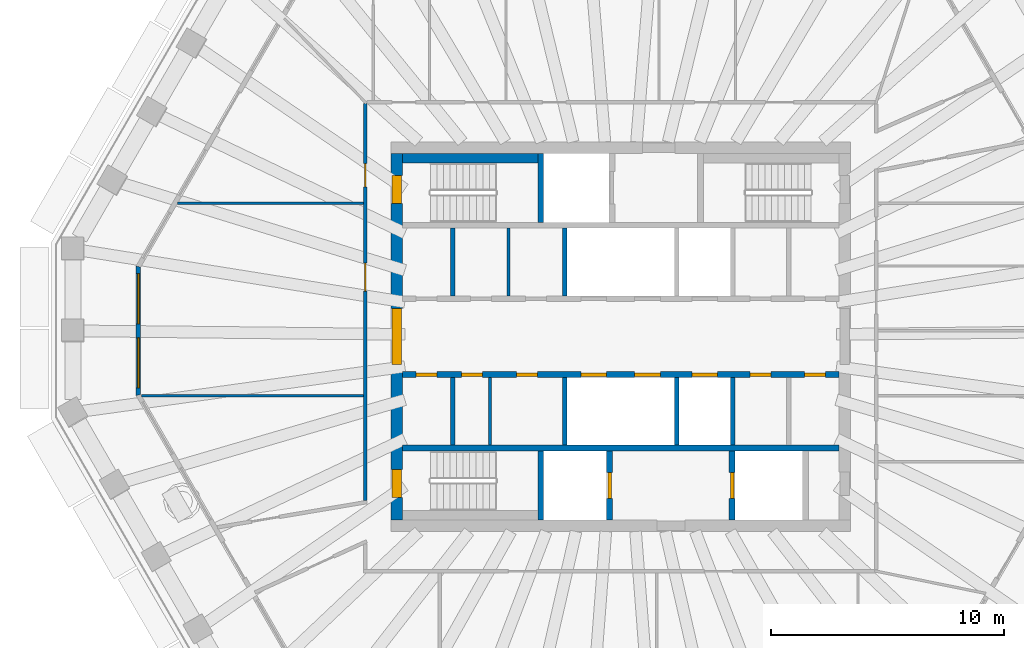
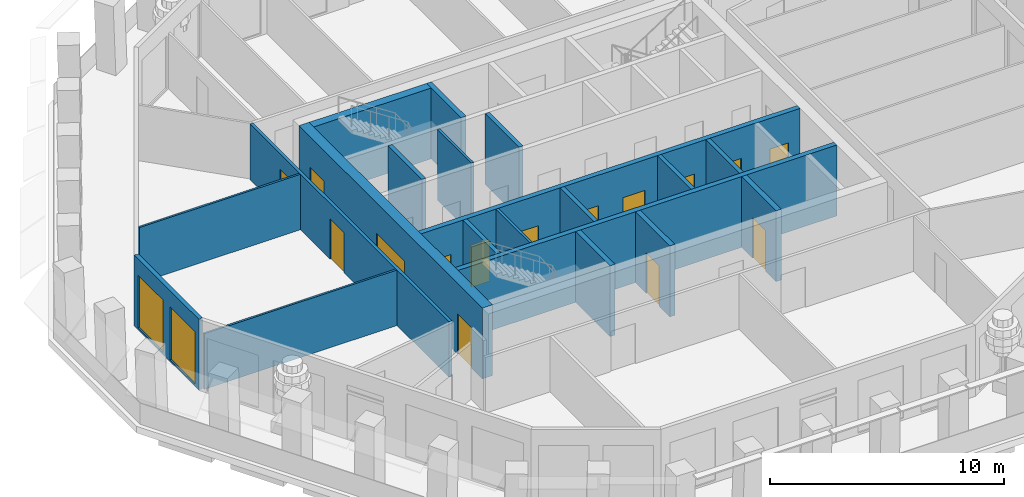
# One storey, part 4 of 12: 20 walls, 15 doors, 2 windows, 17 openings.
"""IFC4 building model written with IfcOpenShell, lengths in metres."""

from ifc_helpers import new_model, si_unit, direction, frame, frame_2d, origin, place, context, subcontext, project, spatial, polyline, rectangle, outline, extrude, material, layer, layer_set, type_object, element, fill, save


model = new_model("IFC4")

# Units and contexts
model_context = context("Model", 3, precision=1e-05, world=origin(), true_north=direction((0.0, 1.0)))
body_context = subcontext(model_context, "Body", "Model", "MODEL_VIEW")
ifc_project = project(units=[si_unit("LENGTHUNIT", "METRE"), si_unit("AREAUNIT", "SQUARE_METRE"), si_unit("VOLUMEUNIT", "CUBIC_METRE"), si_unit("PLANEANGLEUNIT", "RADIAN"), si_unit("MASSUNIT", "GRAM", prefix="KILO")], contexts=[model_context])

# Site, building, storey
site_placement = place(None, origin())
site = spatial("IfcSite", under=ifc_project, at=site_placement, CompositionType="ELEMENT")
building_placement = place(site_placement, origin())
building = spatial("IfcBuilding", under=site, at=building_placement, Name="Frailejon Research Tower", CompositionType="ELEMENT")
storey_placement = place(building_placement, frame((0.0, 0.0, 271.0)))
storey = spatial("IfcBuildingStorey", under=building, at=storey_placement, Name="L59", CompositionType="ELEMENT", Elevation=271.0)

# Walls
ifc_material_1 = material(Name="Plasterboard on steel studs", Category="steel")
ifc_layer_1 = layer(ifc_material_1, 0.125)
ifc_layer_set_1 = layer_set([ifc_layer_1], Name="Core partition 125")
wall_type_1 = type_object("IfcWallType", Name="Core partition 125", PredefinedType="PARTITIONING", material=ifc_layer_set_1)
for number, where, z_axis, x_axis, name in (
    (1, (-4.800048828125, 1.75, 0.0), (0.0, 0.0, 1.0), (0.0, 1.0, 0.0), "Core partition"),
    (2, (-5.60009765625, -4.64990234375, 0.0), (0.0, 0.0, 1.0), (0.0, 1.0, 0.0), "Core partition"),
):
    element("IfcWall", number, at=place(storey_placement, frame(where, z_axis=z_axis, x_axis=x_axis)), inside=storey, type_object=wall_type_1, Name=name, PredefinedType="PARTITIONING", context=body_context, shape_type="SweptSolid", body=[
        extrude(rectangle(XDim=2.89990234375, YDim=0.125, at=frame_2d((1.449951171875, 0.0))), origin(), (0.0, 0.0, 1.0), 3.699951171875),
    ])

# Wall, openings, doors
ifc_material_2 = material(Name="Concrete C50/60", Category="concrete")
ifc_layer_2 = layer(ifc_material_2, 0.5)
ifc_layer_set_2 = layer_set([ifc_layer_2], Name="Core shear wall 500 C50/60")
wall_type_2 = type_object("IfcWallType", Name="Core shear wall 500 C50/60", PredefinedType="SHEAR", material=ifc_layer_set_2)
wall_1_placement = place(storey_placement, frame((-9.60009765625, -7.85009765625, 0.0), z_axis=(0.0, 0.0, 1.0), x_axis=(0.0, 1.0, 0.0)))
wall_1 = element("IfcWall", 3, at=wall_1_placement, inside=storey, type_object=wall_type_2, Name="Core shear wall", PredefinedType="SHEAR", context=body_context, shape_type="SweptSolid", body=[
    extrude(rectangle(XDim=15.7001953125, YDim=0.5, at=frame_2d((7.85009765625, 0.0))), origin(), (0.0, 0.0, 1.0), 3.699951171875),
])
opening_1_placement = place(wall_1_placement, frame((6.64990234375, 0.0, 0.0)))
opening_1 = element("IfcOpeningElement", 4, at=opening_1_placement, cuts=wall_1, Name="Opening D2", PredefinedType="OPENING", context=body_context, shape_type="SweptSolid", body=[
    extrude(rectangle(XDim=2.39990234375, YDim=2.10009765625, at=frame_2d((1.199951171875, 1.050048828125))), frame((0.0, 0.260009765625, 0.0), z_axis=(0.0, -1.0, 0.0), x_axis=(1.0, 0.0, 0.0)), (0.0, 0.0, 1.0), 0.52001953125),
])
opening_2_placement = place(wall_1_placement, frame((13.550048828125, 0.0, 0.0)))
opening_2 = element("IfcOpeningElement", 5, at=opening_2_placement, cuts=wall_1, Name="Opening D1", PredefinedType="OPENING", context=body_context, shape_type="SweptSolid", body=[
    extrude(rectangle(XDim=1.199951171875, YDim=2.10009765625, at=frame_2d((0.60009765625, 1.050048828125))), frame((0.0, 0.260009765625, 0.0), z_axis=(0.0, -1.0, 0.0), x_axis=(1.0, 0.0, 0.0)), (0.0, 0.0, 1.0), 0.52001953125),
])
opening_3_placement = place(wall_1_placement, frame((0.949951171875, 0.0, 0.0)))
opening_3 = element("IfcOpeningElement", 6, at=opening_3_placement, cuts=wall_1, Name="Opening D1", PredefinedType="OPENING", context=body_context, shape_type="SweptSolid", body=[
    extrude(rectangle(XDim=1.199951171875, YDim=2.10009765625, at=frame_2d((0.60009765625, 1.050048828125))), frame((0.0, 0.260009765625, 0.0), z_axis=(0.0, -1.0, 0.0), x_axis=(1.0, 0.0, 0.0)), (0.0, 0.0, 1.0), 0.52001953125),
])
ifc_material_3 = material(Name="Steel", Category="steel")
door_type_1 = type_object("IfcDoorType", Name="Lobby double door", OperationType="DOUBLE_DOOR_SINGLE_SWING", PredefinedType="DOOR", material=ifc_material_3)
door_1_placement = place(opening_1_placement, origin())
door_1 = element("IfcDoor", 7, at=door_1_placement, inside=storey, type_object=door_type_1, Name="Lobby door", OperationType="DOUBLE_DOOR_SINGLE_SWING", OverallHeight=2.10009765625, OverallWidth=2.39990234375, PredefinedType="DOOR", context=body_context, shape_type="SweptSolid", body=[
    extrude(rectangle(XDim=2.39990234375, YDim=2.10009765625, at=frame_2d((1.199951171875, 1.050048828125))), frame((0.0, 0.199951171875, 0.0), z_axis=(0.0, -1.0, 0.0), x_axis=(1.0, 0.0, 0.0)), (0.0, 0.0, 1.0), 0.39990234375),
])
fill(opening_1, door_1)
ifc_material_4 = material(Name="Steel", Category="steel")
door_type_2 = type_object("IfcDoorType", Name="Stair door", OperationType="SINGLE_SWING_LEFT", PredefinedType="DOOR", material=ifc_material_4)
door_2_placement = place(opening_2_placement, origin())
door_2 = element("IfcDoor", 8, at=door_2_placement, inside=storey, type_object=door_type_2, Name="Stair door ST1", OperationType="SINGLE_SWING_RIGHT", OverallHeight=2.10009765625, OverallWidth=1.199951171875, PredefinedType="DOOR", context=body_context, shape_type="SweptSolid", body=[
    extrude(rectangle(XDim=1.199951171875, YDim=2.10009765625, at=frame_2d((0.60009765625, 1.050048828125))), frame((0.0, 0.199951171875, 0.0), z_axis=(0.0, -1.0, 0.0), x_axis=(1.0, 0.0, 0.0)), (0.0, 0.0, 1.0), 0.39990234375),
])
fill(opening_2, door_2)
door_3_placement = place(opening_3_placement, origin())
door_3 = element("IfcDoor", 9, at=door_3_placement, inside=storey, type_object=door_type_2, Name="Stair door ST2", OperationType="SINGLE_SWING_LEFT", OverallHeight=2.10009765625, OverallWidth=1.199951171875, PredefinedType="DOOR", context=body_context, shape_type="SweptSolid", body=[
    extrude(rectangle(XDim=1.199951171875, YDim=2.10009765625, at=frame_2d((0.60009765625, 1.050048828125))), frame((0.0, 0.199951171875, 0.0), z_axis=(0.0, -1.0, 0.0), x_axis=(1.0, 0.0, 0.0)), (0.0, 0.0, 1.0), 0.39990234375),
])
fill(opening_3, door_3)

ifc_material_5 = material(Name="Gypsum board and masonry partition", Category="masonry")
ifc_layer_3 = layer(ifc_material_5, 0.14990234375)
ifc_layer_set_3 = layer_set([ifc_layer_3], Name="Corridor wall EI 60, gypsum on steel studs 150")
wall_type_3 = type_object("IfcWallType", Name="Corridor wall EI 60, gypsum on steel studs 150", PredefinedType="PARTITIONING", material=ifc_layer_set_3)
wall_2_placement = place(storey_placement, frame((-10.949951171875, -7.02490234375, 0.0), z_axis=(0.0, 0.0, 1.0), x_axis=(0.0, 1.0, 0.0)))
wall_2 = element("IfcWall", 10, at=wall_2_placement, inside=storey, type_object=wall_type_3, Name="T:IW:L59:007", PredefinedType="PARTITIONING", context=body_context, shape_type="SweptSolid", body=[
    extrude(rectangle(XDim=17.02490234375, YDim=0.14990234375, at=frame_2d((8.512451171875, 0.0))), origin(), (0.0, 0.0, 1.0), 2.89990234375),
])
opening_4_placement = place(wall_2_placement, frame((13.439208984375, 0.0, 0.0)))
opening_4 = element("IfcOpeningElement", 11, at=opening_4_placement, cuts=wall_2, Name="Opening D2141", PredefinedType="OPENING", context=body_context, shape_type="SweptSolid", body=[
    extrude(rectangle(XDim=1.0, YDim=2.10009765625, at=frame_2d((0.5, 1.050048828125))), frame((0.0, 0.0849609375, 0.0), z_axis=(0.0, -1.0, 0.0), x_axis=(1.0, 0.0, 0.0)), (0.0, 0.0, 1.0), 0.169921875),
])
opening_5_placement = place(wall_2_placement, frame((8.972412109375, 0.0, 0.0)))
opening_5 = element("IfcOpeningElement", 12, at=opening_5_placement, cuts=wall_2, Name="Opening D2142", PredefinedType="OPENING", context=body_context, shape_type="SweptSolid", body=[
    extrude(rectangle(XDim=1.199951171875, YDim=2.10009765625, at=frame_2d((0.60009765625, 1.050048828125))), frame((0.0, 0.0849609375, 0.0), z_axis=(0.0, -1.0, 0.0), x_axis=(1.0, 0.0, 0.0)), (0.0, 0.0, 1.0), 0.169921875),
])
ifc_material_6 = material(Name="Timber door leaf", Category="wood")
door_type_3 = type_object("IfcDoorType", Name="Door single leaf, timber, steel frame 1000", OperationType="NOTDEFINED", PredefinedType="DOOR", material=ifc_material_6)
door_4_placement = place(opening_4_placement, origin())
door_4 = element("IfcDoor", 13, at=door_4_placement, inside=storey, type_object=door_type_3, Name="D2141", OperationType="SINGLE_SWING_LEFT", OverallHeight=2.10009765625, OverallWidth=1.0, PredefinedType="DOOR", context=body_context, shape_type="SweptSolid", body=[
    extrude(rectangle(XDim=1.0, YDim=2.10009765625, at=frame_2d((0.5, 1.050048828125))), frame((0.0, 0.02490234375, 0.0), z_axis=(0.0, -1.0, 0.0), x_axis=(1.0, 0.0, 0.0)), (0.0, 0.0, 1.0), 0.050048828125),
])
fill(opening_4, door_4)
ifc_material_7 = material(Name="Timber door leaf", Category="wood")
door_type_4 = type_object("IfcDoorType", Name="Door single leaf, timber, steel frame 1200", OperationType="NOTDEFINED", PredefinedType="DOOR", material=ifc_material_7)
door_5_placement = place(opening_5_placement, origin())
door_5 = element("IfcDoor", 14, at=door_5_placement, inside=storey, type_object=door_type_4, Name="D2142", OperationType="DOUBLE_DOOR_SINGLE_SWING", OverallHeight=2.10009765625, OverallWidth=1.199951171875, PredefinedType="DOOR", context=body_context, shape_type="SweptSolid", body=[
    extrude(rectangle(XDim=1.199951171875, YDim=2.10009765625, at=frame_2d((0.60009765625, 1.050048828125))), frame((0.0, 0.02490234375, 0.0), z_axis=(0.0, -1.0, 0.0), x_axis=(1.0, 0.0, 0.0)), (0.0, 0.0, 1.0), 0.050048828125),
])
fill(opening_5, door_5)

# Walls
ifc_material_8 = material(Name="Gypsum board and masonry partition", Category="masonry")
ifc_layer_4 = layer(ifc_material_8, 0.10009765625)
ifc_layer_set_4 = layer_set([ifc_layer_4], Name="Partition, gypsum on steel studs 100")
wall_type_4 = type_object("IfcWallType", Name="Partition, gypsum on steel studs 100", PredefinedType="PARTITIONING", material=ifc_layer_set_4)
wall_3_placement = place(storey_placement, frame((-18.98583984375, 5.71826171875, 0.0), z_axis=(0.0, 0.0, 1.0), x_axis=(1.0, 0.0, 0.0)))
element("IfcWall", 15, at=wall_3_placement, inside=storey, type_object=wall_type_4, Name="T:IW:L59:014", PredefinedType="PARTITIONING", context=body_context, shape_type="SweptSolid", body=[
    extrude(rectangle(XDim=7.9609375, YDim=0.10009765625, at=frame_2d((3.98046875, 0.0))), origin(), (0.0, 0.0, 1.0), 2.89990234375),
])
wall_4_placement = place(storey_placement, frame((-20.5380859375, -2.527099609375, 0.0), z_axis=(0.0, 0.0, 1.0), x_axis=(1.0, 0.0, 0.0)))
element("IfcWall", 16, at=wall_4_placement, inside=storey, type_object=wall_type_4, Name="T:IW:L59:023", PredefinedType="PARTITIONING", context=body_context, shape_type="SweptSolid", body=[
    extrude(rectangle(XDim=9.51318359375, YDim=0.10009765625, at=frame_2d((4.756591796875, 0.0))), origin(), (0.0, 0.0, 1.0), 2.89990234375),
])
ifc_material_9 = material(Name="Concrete C50/60", Category="concrete")
ifc_layer_5 = layer(ifc_material_9, 0.199951171875)
ifc_layer_set_5 = layer_set([ifc_layer_5], Name="Shaft wall 200 C50/60")
wall_type_5 = type_object("IfcWallType", Name="Shaft wall 200 C50/60", PredefinedType="SOLIDWALL", material=ifc_layer_set_5)
for number, where, z_axis, x_axis, name in (
    (17, (-7.199951171875, 1.75, 0.0), (0.0, 0.0, 1.0), (0.0, 1.0, 0.0), "Shaft wall"),
    (18, (-2.39990234375, 1.75, 0.0), (0.0, 0.0, 1.0), (0.0, 1.0, 0.0), "Shaft wall"),
    (19, (-7.199951171875, -4.64990234375, 0.0), (0.0, 0.0, 1.0), (0.0, 1.0, 0.0), "Shaft wall"),
    (20, (-2.39990234375, -4.64990234375, 0.0), (0.0, 0.0, 1.0), (0.0, 1.0, 0.0), "Shaft wall"),
    (21, (2.39990234375, -4.64990234375, 0.0), (0.0, 0.0, 1.0), (0.0, 1.0, 0.0), "Shaft wall"),
    (22, (4.800048828125, -4.64990234375, 0.0), (0.0, 0.0, 1.0), (0.0, 1.0, 0.0), "Shaft wall"),
):
    element("IfcWall", number, at=place(storey_placement, frame(where, z_axis=z_axis, x_axis=x_axis)), inside=storey, type_object=wall_type_5, Name=name, PredefinedType="SOLIDWALL", context=body_context, shape_type="SweptSolid", body=[
        extrude(rectangle(XDim=2.89990234375, YDim=0.199951171875, at=frame_2d((1.449951171875, 0.0))), origin(), (0.0, 0.0, 1.0), 3.699951171875),
    ])

# Wall, openings, doors
ifc_material_10 = material(Name="Concrete C50/60", Category="concrete")
ifc_layer_6 = layer(ifc_material_10, 0.25)
ifc_layer_set_6 = layer_set([ifc_layer_6], Name="Shaft wall 250 C50/60")
wall_type_6 = type_object("IfcWallType", Name="Shaft wall 250 C50/60", PredefinedType="SOLIDWALL", material=ifc_layer_set_6)
wall_5_placement = place(storey_placement, frame((-9.35009765625, -1.625, 0.0), z_axis=(0.0, 0.0, 1.0), x_axis=(1.0, 0.0, 0.0)))
wall_5 = element("IfcWall", 23, at=wall_5_placement, inside=storey, type_object=wall_type_6, Name="Shaft wall", PredefinedType="SOLIDWALL", context=body_context, shape_type="SweptSolid", body=[
    extrude(rectangle(XDim=18.7001953125, YDim=0.25, at=frame_2d((9.35009765625, 0.0))), origin(), (0.0, 0.0, 1.0), 3.699951171875),
])
opening_6_placement = place(wall_5_placement, frame((7.64990234375, 0.0, 0.0)))
opening_6 = element("IfcOpeningElement", 24, at=opening_6_placement, cuts=wall_5, Name="Opening LD", PredefinedType="OPENING", context=body_context, shape_type="SweptSolid", body=[
    extrude(rectangle(XDim=1.10009765625, YDim=2.10009765625, at=frame_2d((0.550048828125, 1.050048828125))), frame((0.0, 0.135009765625, 0.0), z_axis=(0.0, -1.0, 0.0), x_axis=(1.0, 0.0, 0.0)), (0.0, 0.0, 1.0), 0.27001953125),
])
opening_7_placement = place(wall_5_placement, frame((9.949951171875, 0.0, 0.0)))
opening_7 = element("IfcOpeningElement", 25, at=opening_7_placement, cuts=wall_5, Name="Opening LD", PredefinedType="OPENING", context=body_context, shape_type="SweptSolid", body=[
    extrude(rectangle(XDim=1.10009765625, YDim=2.10009765625, at=frame_2d((0.550048828125, 1.050048828125))), frame((0.0, 0.135009765625, 0.0), z_axis=(0.0, -1.0, 0.0), x_axis=(1.0, 0.0, 0.0)), (0.0, 0.0, 1.0), 0.27001953125),
])
opening_8_placement = place(wall_5_placement, frame((12.39990234375, 0.0, 0.0)))
opening_8 = element("IfcOpeningElement", 26, at=opening_8_placement, cuts=wall_5, Name="Opening LD", PredefinedType="OPENING", context=body_context, shape_type="SweptSolid", body=[
    extrude(rectangle(XDim=1.10009765625, YDim=2.10009765625, at=frame_2d((0.550048828125, 1.050048828125))), frame((0.0, 0.135009765625, 0.0), z_axis=(0.0, -1.0, 0.0), x_axis=(1.0, 0.0, 0.0)), (0.0, 0.0, 1.0), 0.27001953125),
])
opening_9_placement = place(wall_5_placement, frame((0.574951171875, 0.0, 0.0)))
opening_9 = element("IfcOpeningElement", 27, at=opening_9_placement, cuts=wall_5, Name="Opening D8", PredefinedType="OPENING", context=body_context, shape_type="SweptSolid", body=[
    extrude(rectangle(XDim=0.89990234375, YDim=2.10009765625, at=frame_2d((0.449951171875, 1.050048828125))), frame((0.0, 0.135009765625, 0.0), z_axis=(0.0, -1.0, 0.0), x_axis=(1.0, 0.0, 0.0)), (0.0, 0.0, 1.0), 0.27001953125),
])
opening_10_placement = place(wall_5_placement, frame((2.518798828125, 0.0, 0.0)))
opening_10 = element("IfcOpeningElement", 28, at=opening_10_placement, cuts=wall_5, Name="Opening D8", PredefinedType="OPENING", context=body_context, shape_type="SweptSolid", body=[
    extrude(rectangle(XDim=0.89990234375, YDim=2.10009765625, at=frame_2d((0.449951171875, 1.050048828125))), frame((0.0, 0.135009765625, 0.0), z_axis=(0.0, -1.0, 0.0), x_axis=(1.0, 0.0, 0.0)), (0.0, 0.0, 1.0), 0.27001953125),
])
opening_11_placement = place(wall_5_placement, frame((4.881103515625, 0.0, 0.0)))
opening_11 = element("IfcOpeningElement", 29, at=opening_11_placement, cuts=wall_5, Name="Opening D8", PredefinedType="OPENING", context=body_context, shape_type="SweptSolid", body=[
    extrude(rectangle(XDim=0.89990234375, YDim=2.10009765625, at=frame_2d((0.449951171875, 1.050048828125))), frame((0.0, 0.135009765625, 0.0), z_axis=(0.0, -1.0, 0.0), x_axis=(1.0, 0.0, 0.0)), (0.0, 0.0, 1.0), 0.27001953125),
])
opening_12_placement = place(wall_5_placement, frame((14.89990234375, 0.0, 0.0)))
opening_12 = element("IfcOpeningElement", 30, at=opening_12_placement, cuts=wall_5, Name="Opening D8", PredefinedType="OPENING", context=body_context, shape_type="SweptSolid", body=[
    extrude(rectangle(XDim=0.89990234375, YDim=2.10009765625, at=frame_2d((0.449951171875, 1.050048828125))), frame((0.0, 0.135009765625, 0.0), z_axis=(0.0, -1.0, 0.0), x_axis=(1.0, 0.0, 0.0)), (0.0, 0.0, 1.0), 0.27001953125),
])
opening_13_placement = place(wall_5_placement, frame((17.22509765625, 0.0, 0.0)))
opening_13 = element("IfcOpeningElement", 31, at=opening_13_placement, cuts=wall_5, Name="Opening D8", PredefinedType="OPENING", context=body_context, shape_type="SweptSolid", body=[
    extrude(rectangle(XDim=0.89990234375, YDim=2.10009765625, at=frame_2d((0.449951171875, 1.050048828125))), frame((0.0, 0.135009765625, 0.0), z_axis=(0.0, -1.0, 0.0), x_axis=(1.0, 0.0, 0.0)), (0.0, 0.0, 1.0), 0.27001953125),
])
ifc_material_11 = material(Name="Steel", Category="steel")
door_type_5 = type_object("IfcDoorType", Name="Core room door", OperationType="SINGLE_SWING_LEFT", PredefinedType="DOOR", material=ifc_material_11)
door_6_placement = place(opening_9_placement, origin())
door_6 = element("IfcDoor", 32, at=door_6_placement, inside=storey, type_object=door_type_5, Name="Room door", OperationType="SINGLE_SWING_LEFT", OverallHeight=2.10009765625, OverallWidth=0.89990234375, PredefinedType="DOOR", context=body_context, shape_type="SweptSolid", body=[
    extrude(rectangle(XDim=0.89990234375, YDim=2.10009765625, at=frame_2d((0.449951171875, 1.050048828125))), frame((0.0, 0.074951171875, 0.0), z_axis=(0.0, -1.0, 0.0), x_axis=(1.0, 0.0, 0.0)), (0.0, 0.0, 1.0), 0.14990234375),
])
fill(opening_9, door_6)
door_7_placement = place(opening_10_placement, origin())
door_7 = element("IfcDoor", 33, at=door_7_placement, inside=storey, type_object=door_type_5, Name="Room door", OperationType="SINGLE_SWING_RIGHT", OverallHeight=2.10009765625, OverallWidth=0.89990234375, PredefinedType="DOOR", context=body_context, shape_type="SweptSolid", body=[
    extrude(rectangle(XDim=0.89990234375, YDim=2.10009765625, at=frame_2d((0.449951171875, 1.050048828125))), frame((0.0, 0.074951171875, 0.0), z_axis=(0.0, -1.0, 0.0), x_axis=(1.0, 0.0, 0.0)), (0.0, 0.0, 1.0), 0.14990234375),
])
fill(opening_10, door_7)
door_8_placement = place(opening_11_placement, origin())
door_8 = element("IfcDoor", 34, at=door_8_placement, inside=storey, type_object=door_type_5, Name="Room door", OperationType="SINGLE_SWING_LEFT", OverallHeight=2.10009765625, OverallWidth=0.89990234375, PredefinedType="DOOR", context=body_context, shape_type="SweptSolid", body=[
    extrude(rectangle(XDim=0.89990234375, YDim=2.10009765625, at=frame_2d((0.449951171875, 1.050048828125))), frame((0.0, 0.074951171875, 0.0), z_axis=(0.0, -1.0, 0.0), x_axis=(1.0, 0.0, 0.0)), (0.0, 0.0, 1.0), 0.14990234375),
])
fill(opening_11, door_8)
door_9_placement = place(opening_12_placement, origin())
door_9 = element("IfcDoor", 35, at=door_9_placement, inside=storey, type_object=door_type_5, Name="Room door", OperationType="SINGLE_SWING_RIGHT", OverallHeight=2.10009765625, OverallWidth=0.89990234375, PredefinedType="DOOR", context=body_context, shape_type="SweptSolid", body=[
    extrude(rectangle(XDim=0.89990234375, YDim=2.10009765625, at=frame_2d((0.449951171875, 1.050048828125))), frame((0.0, 0.074951171875, 0.0), z_axis=(0.0, -1.0, 0.0), x_axis=(1.0, 0.0, 0.0)), (0.0, 0.0, 1.0), 0.14990234375),
])
fill(opening_12, door_9)
door_10_placement = place(opening_13_placement, origin())
door_10 = element("IfcDoor", 36, at=door_10_placement, inside=storey, type_object=door_type_5, Name="Room door", OperationType="SINGLE_SWING_LEFT", OverallHeight=2.10009765625, OverallWidth=0.89990234375, PredefinedType="DOOR", context=body_context, shape_type="SweptSolid", body=[
    extrude(rectangle(XDim=0.89990234375, YDim=2.10009765625, at=frame_2d((0.449951171875, 1.050048828125))), frame((0.0, 0.074951171875, 0.0), z_axis=(0.0, -1.0, 0.0), x_axis=(1.0, 0.0, 0.0)), (0.0, 0.0, 1.0), 0.14990234375),
])
fill(opening_13, door_10)
ifc_material_12 = material(Name="Steel", Category="steel")
door_type_6 = type_object("IfcDoorType", Name="Lift landing door", OperationType="DOUBLE_DOOR_SLIDING", PredefinedType="DOOR", material=ifc_material_12)
door_11_placement = place(opening_6_placement, origin())
door_11 = element("IfcDoor", 37, at=door_11_placement, inside=storey, type_object=door_type_6, Name="Lift landing door", OperationType="DOUBLE_DOOR_SLIDING", OverallHeight=2.10009765625, OverallWidth=1.10009765625, PredefinedType="DOOR", context=body_context, shape_type="SweptSolid", body=[
    extrude(rectangle(XDim=1.10009765625, YDim=2.10009765625, at=frame_2d((0.550048828125, 1.050048828125))), frame((0.0, 0.074951171875, 0.0), z_axis=(0.0, -1.0, 0.0), x_axis=(1.0, 0.0, 0.0)), (0.0, 0.0, 1.0), 0.14990234375),
])
fill(opening_6, door_11)
door_12_placement = place(opening_7_placement, origin())
door_12 = element("IfcDoor", 38, at=door_12_placement, inside=storey, type_object=door_type_6, Name="Lift landing door", OperationType="DOUBLE_DOOR_SLIDING", OverallHeight=2.10009765625, OverallWidth=1.10009765625, PredefinedType="DOOR", context=body_context, shape_type="SweptSolid", body=[
    extrude(rectangle(XDim=1.10009765625, YDim=2.10009765625, at=frame_2d((0.550048828125, 1.050048828125))), frame((0.0, 0.074951171875, 0.0), z_axis=(0.0, -1.0, 0.0), x_axis=(1.0, 0.0, 0.0)), (0.0, 0.0, 1.0), 0.14990234375),
])
fill(opening_7, door_12)
door_13_placement = place(opening_8_placement, origin())
door_13 = element("IfcDoor", 39, at=door_13_placement, inside=storey, type_object=door_type_6, Name="Lift landing door", OperationType="DOUBLE_DOOR_SLIDING", OverallHeight=2.10009765625, OverallWidth=1.10009765625, PredefinedType="DOOR", context=body_context, shape_type="SweptSolid", body=[
    extrude(rectangle(XDim=1.10009765625, YDim=2.10009765625, at=frame_2d((0.550048828125, 1.050048828125))), frame((0.0, 0.074951171875, 0.0), z_axis=(0.0, -1.0, 0.0), x_axis=(1.0, 0.0, 0.0)), (0.0, 0.0, 1.0), 0.14990234375),
])
fill(opening_8, door_13)

# Walls
wall_6_placement = place(storey_placement, frame((-9.35009765625, -4.77490234375, 0.0), z_axis=(0.0, 0.0, 1.0), x_axis=(1.0, 0.0, 0.0)))
element("IfcWall", 40, at=wall_6_placement, inside=storey, type_object=wall_type_6, Name="Shaft wall", PredefinedType="SOLIDWALL", context=body_context, shape_type="SweptSolid", body=[
    extrude(rectangle(XDim=18.7001953125, YDim=0.25, at=frame_2d((9.35009765625, 0.0))), origin(), (0.0, 0.0, 1.0), 3.699951171875),
])
for number, where, z_axis, x_axis, name in (
    (41, (-3.425048828125, 4.89990234375, 0.0), (0.0, 0.0, 1.0), (0.0, 1.0, 0.0), "Shaft wall"),
    (42, (-3.425048828125, -7.85009765625, 0.0), (0.0, 0.0, 1.0), (0.0, 1.0, 0.0), "Shaft wall"),
):
    element("IfcWall", number, at=place(storey_placement, frame(where, z_axis=z_axis, x_axis=x_axis)), inside=storey, type_object=wall_type_6, Name=name, PredefinedType="SOLIDWALL", context=body_context, shape_type="SweptSolid", body=[
        extrude(rectangle(XDim=2.9501953125, YDim=0.25, at=frame_2d((1.47509765625, 0.0))), origin(), (0.0, 0.0, 1.0), 3.699951171875),
    ])

# Wall, opening, door
wall_7_placement = place(storey_placement, frame((-0.47509765625, -7.85009765625, 0.0), z_axis=(0.0, 0.0, 1.0), x_axis=(0.0, 1.0, 0.0)))
wall_7 = element("IfcWall", 43, at=wall_7_placement, inside=storey, type_object=wall_type_6, Name="Shaft wall", PredefinedType="SOLIDWALL", context=body_context, shape_type="SweptSolid", body=[
    extrude(rectangle(XDim=2.9501953125, YDim=0.25, at=frame_2d((1.47509765625, 0.0))), origin(), (0.0, 0.0, 1.0), 3.699951171875),
])
opening_14_placement = place(wall_7_placement, frame((0.925048828125, 0.0, 0.0)))
opening_14 = element("IfcOpeningElement", 44, at=opening_14_placement, cuts=wall_7, Name="Opening LD", PredefinedType="OPENING", context=body_context, shape_type="SweptSolid", body=[
    extrude(rectangle(XDim=1.10009765625, YDim=2.10009765625, at=frame_2d((0.550048828125, 1.050048828125))), frame((0.0, 0.135009765625, 0.0), z_axis=(0.0, -1.0, 0.0), x_axis=(1.0, 0.0, 0.0)), (0.0, 0.0, 1.0), 0.27001953125),
])
door_14_placement = place(opening_14_placement, origin())
door_14 = element("IfcDoor", 45, at=door_14_placement, inside=storey, type_object=door_type_6, Name="Lift landing door", OperationType="DOUBLE_DOOR_SLIDING", OverallHeight=2.10009765625, OverallWidth=1.10009765625, PredefinedType="DOOR", context=body_context, shape_type="SweptSolid", body=[
    extrude(rectangle(XDim=1.10009765625, YDim=2.10009765625, at=frame_2d((0.550048828125, 1.050048828125))), frame((0.0, 0.074951171875, 0.0), z_axis=(0.0, -1.0, 0.0), x_axis=(1.0, 0.0, 0.0)), (0.0, 0.0, 1.0), 0.14990234375),
])
fill(opening_14, door_14)

wall_8_placement = place(storey_placement, frame((4.77490234375, -7.85009765625, 0.0), z_axis=(0.0, 0.0, 1.0), x_axis=(0.0, 1.0, 0.0)))
wall_8 = element("IfcWall", 46, at=wall_8_placement, inside=storey, type_object=wall_type_6, Name="Shaft wall", PredefinedType="SOLIDWALL", context=body_context, shape_type="SweptSolid", body=[
    extrude(rectangle(XDim=2.9501953125, YDim=0.25, at=frame_2d((1.47509765625, 0.0))), origin(), (0.0, 0.0, 1.0), 3.699951171875),
])
opening_15_placement = place(wall_8_placement, frame((0.925048828125, 0.0, 0.0)))
opening_15 = element("IfcOpeningElement", 47, at=opening_15_placement, cuts=wall_8, Name="Opening LD", PredefinedType="OPENING", context=body_context, shape_type="SweptSolid", body=[
    extrude(rectangle(XDim=1.10009765625, YDim=2.10009765625, at=frame_2d((0.550048828125, 1.050048828125))), frame((0.0, 0.135009765625, 0.0), z_axis=(0.0, -1.0, 0.0), x_axis=(1.0, 0.0, 0.0)), (0.0, 0.0, 1.0), 0.27001953125),
])
door_15_placement = place(opening_15_placement, origin())
door_15 = element("IfcDoor", 48, at=door_15_placement, inside=storey, type_object=door_type_6, Name="Lift landing door", OperationType="DOUBLE_DOOR_SLIDING", OverallHeight=2.10009765625, OverallWidth=1.10009765625, PredefinedType="DOOR", context=body_context, shape_type="SweptSolid", body=[
    extrude(rectangle(XDim=1.10009765625, YDim=2.10009765625, at=frame_2d((0.550048828125, 1.050048828125))), frame((0.0, 0.074951171875, 0.0), z_axis=(0.0, -1.0, 0.0), x_axis=(1.0, 0.0, 0.0)), (0.0, 0.0, 1.0), 0.14990234375),
])
fill(opening_15, door_15)

# Wall
ifc_material_13 = material(Name="Concrete C50/60", Category="concrete")
ifc_layer_7 = layer(ifc_material_13, 0.39990234375)
ifc_layer_set_7 = layer_set([ifc_layer_7], Name="Shaft wall 400 C50/60")
wall_type_7 = type_object("IfcWallType", Name="Shaft wall 400 C50/60", PredefinedType="SOLIDWALL", material=ifc_layer_set_7)
wall_9_placement = place(storey_placement, frame((-9.35009765625, 7.64990234375, 0.0), z_axis=(0.0, 0.0, 1.0), x_axis=(1.0, 0.0, 0.0)))
element("IfcWall", 49, at=wall_9_placement, inside=storey, type_object=wall_type_7, Name="Shaft wall", PredefinedType="SOLIDWALL", context=body_context, shape_type="SweptSolid", body=[
    extrude(rectangle(XDim=5.800048828125, YDim=0.39990234375, at=frame_2d((2.89990234375, 0.0))), origin(), (0.0, 0.0, 1.0), 3.699951171875),
])

# Wall, openings, windows
ifc_material_14 = material(Name="Concrete C40/50 precast window wall panel", Category="concrete")
ifc_layer_8 = layer(ifc_material_14, 0.199951171875)
ifc_layer_set_8 = layer_set([ifc_layer_8], Name="Window wall 200")
wall_type_8 = type_object("IfcWallType", Name="Window wall 200", PredefinedType="SOLIDWALL", material=ifc_layer_set_8)
wall_10_placement = place(storey_placement, frame((-20.6689453125, 3.003173828125, 0.0), z_axis=(0.0, 0.0, 1.0), x_axis=(0.0, -1.0, 0.0)))
wall_10 = element("IfcWall", 50, at=wall_10_placement, inside=storey, type_object=wall_type_8, Name="Exterior wall L59", PredefinedType="SOLIDWALL", context=body_context, shape_type="SweptSolid", body=[
    extrude(outline(polyline([(-0.02685546875, -0.10009765625), (1.08447265625, -0.10009765625), (2.196044921875, -0.10009765625), (3.307373046875, -0.10009765625), (4.4189453125, -0.10009765625), (5.5302734375, -0.10009765625), (5.4765625, 0.10009765625), (4.38671875, 0.10009765625), (3.296630859375, 0.10009765625), (2.206787109375, 0.10009765625), (1.11669921875, 0.10009765625), (0.02685546875, 0.10009765625), (-0.02685546875, -0.10009765625)])), origin(), (0.0, 0.0, 1.0), 3.699951171875),
])
opening_16_placement = place(wall_10_placement, frame((0.30078125, 0.0, 0.10009765625)))
opening_16 = element("IfcOpeningElement", 51, at=opening_16_placement, cuts=wall_10, Name="Opening W22", PredefinedType="OPENING", context=body_context, shape_type="SweptSolid", body=[
    extrude(rectangle(XDim=2.14990234375, YDim=2.75, at=frame_2d((1.074951171875, 1.375))), frame((0.0, 0.10986328125, 0.0), z_axis=(0.0, -1.0, 0.0), x_axis=(1.0, 0.0, 0.0)), (0.0, 0.0, 1.0), 0.219970703125),
])
opening_17_placement = place(wall_10_placement, frame((3.052490234375, 0.0, 0.10009765625)))
opening_17 = element("IfcOpeningElement", 52, at=opening_17_placement, cuts=wall_10, Name="Opening W22", PredefinedType="OPENING", context=body_context, shape_type="SweptSolid", body=[
    extrude(rectangle(XDim=2.14990234375, YDim=2.75, at=frame_2d((1.074951171875, 1.375))), frame((0.0, 0.10986328125, 0.0), z_axis=(0.0, -1.0, 0.0), x_axis=(1.0, 0.0, 0.0)), (0.0, 0.0, 1.0), 0.219970703125),
])
ifc_material_15 = material(Name="Aluminium framed double glazing", Category="aluminium")
window_type = type_object("IfcWindowType", Name="Window 2150x2750", PartitioningType="SINGLE_PANEL", PredefinedType="WINDOW", material=ifc_material_15)
window_1_placement = place(opening_16_placement, origin())
window_1 = element("IfcWindow", 53, at=window_1_placement, inside=storey, type_object=window_type, Name="Window L59", OverallHeight=2.75, OverallWidth=2.14990234375, PartitioningType="SINGLE_PANEL", PredefinedType="WINDOW", context=body_context, shape_type="SweptSolid", body=[
    extrude(rectangle(XDim=2.14990234375, YDim=2.75, at=frame_2d((1.074951171875, 1.375))), frame((0.0, 0.030029296875, 0.0), z_axis=(0.0, -1.0, 0.0), x_axis=(1.0, 0.0, 0.0)), (0.0, 0.0, 1.0), 0.06005859375),
])
fill(opening_16, window_1)
window_2_placement = place(opening_17_placement, origin())
window_2 = element("IfcWindow", 54, at=window_2_placement, inside=storey, type_object=window_type, Name="Window L59", OverallHeight=2.75, OverallWidth=2.14990234375, PartitioningType="SINGLE_PANEL", PredefinedType="WINDOW", context=body_context, shape_type="SweptSolid", body=[
    extrude(rectangle(XDim=2.14990234375, YDim=2.75, at=frame_2d((1.074951171875, 1.375))), frame((0.0, 0.030029296875, 0.0), z_axis=(0.0, -1.0, 0.0), x_axis=(1.0, 0.0, 0.0)), (0.0, 0.0, 1.0), 0.06005859375),
])
fill(opening_17, window_2)

save(model, "model.ifc")
